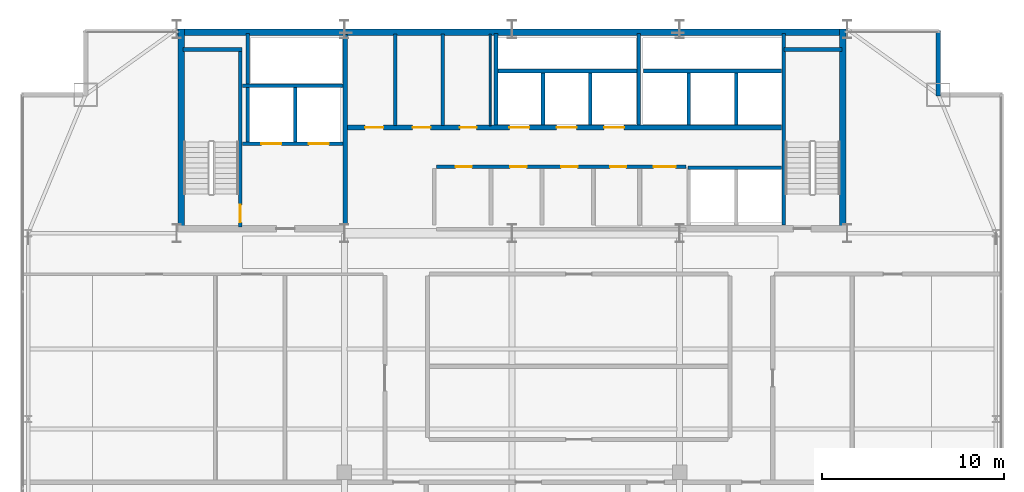
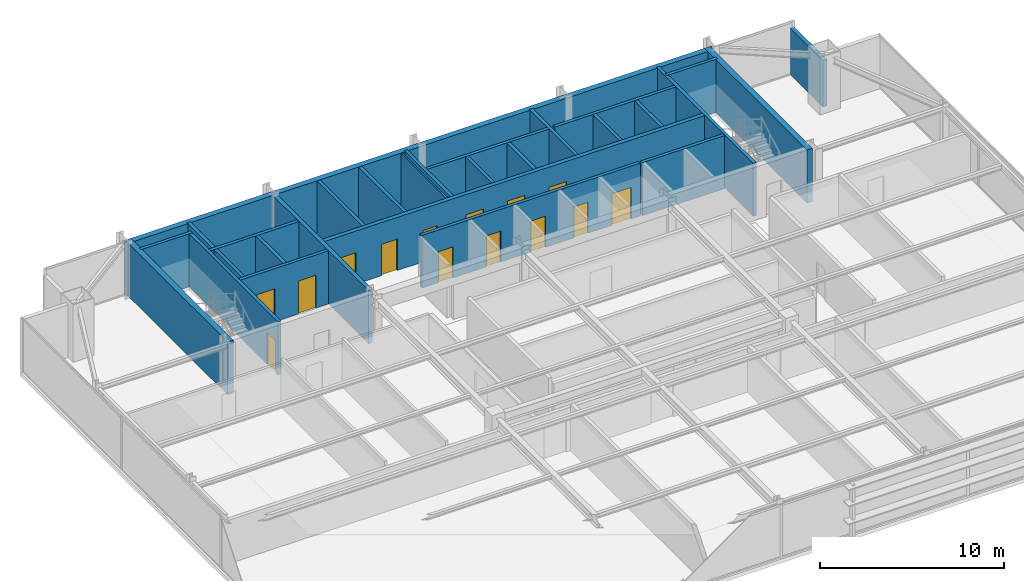
# One storey, part 26 of 29: 27 walls, 14 doors, 14 openings.
"""IFC4 building model written with IfcOpenShell, lengths in metres."""

from ifc_helpers import new_model, si_unit, direction, frame, frame_2d, origin, place, context, subcontext, project, spatial, rectangle, extrude, source, transform, mapped, material, layer, layer_set, type_object, type_shapes, element, fill, save


model = new_model("IFC4")

# Units and contexts
model_context = context("Model", 3, precision=1e-05, world=origin(), true_north=direction((0.0, 1.0)))
body_context = subcontext(model_context, "Body", "Model", "MODEL_VIEW")
ifc_project = project(units=[si_unit("LENGTHUNIT", "METRE"), si_unit("AREAUNIT", "SQUARE_METRE"), si_unit("VOLUMEUNIT", "CUBIC_METRE"), si_unit("PLANEANGLEUNIT", "RADIAN"), si_unit("MASSUNIT", "GRAM", prefix="KILO")], contexts=[model_context])

# Site, building, storey
site_placement = place(None, origin())
site = spatial("IfcSite", under=ifc_project, at=site_placement, CompositionType="ELEMENT")
building_placement = place(site_placement, origin())
building = spatial("IfcBuilding", under=site, at=building_placement, Name="Varnel Quay Broadcast Tower", CompositionType="ELEMENT")
storey_placement = place(building_placement, frame((0.0, 0.0, 187.60009765625)))
storey = spatial("IfcBuildingStorey", under=building, at=storey_placement, Name="L46", CompositionType="ELEMENT", Elevation=187.60009765625)

# Wall, opening, door
ifc_material_1 = material(Name="Concrete CSA A23.3 C50/60", Category="concrete")
ifc_layer_1 = layer(ifc_material_1, 0.199951171875, Name="Concrete CSA A23.3 C50/60")
ifc_layer_set_1 = layer_set([ifc_layer_1], Name="Concrete CSA A23.3 C50/60")
wall_type_1 = type_object("IfcWallType", Name="Wall_CoreShaftShear200", PredefinedType="SHEAR", material=ifc_layer_set_1)
wall_1_placement = place(storey_placement, frame((19.080078125, 35.949951171875, 0.0), z_axis=(0.0, 0.0, 1.0), x_axis=(0.0, 1.0, 0.0)))
wall_1 = element("IfcWall", 1, at=wall_1_placement, inside=storey, type_object=wall_type_1, Name="L46 Stair 1 East Structural Wall", PredefinedType="SHEAR", context=body_context, shape_type="SweptSolid", body=[
    extrude(rectangle(XDim=9.650146484375, YDim=0.199951171875, at=frame_2d((4.8251953125, 0.0))), origin(), (0.0, 0.0, 1.0), 3.52001953125),
])
opening_1_placement = place(wall_1_placement, frame((0.25, 0.0, 0.0)))
opening_1 = element("IfcOpeningElement", 2, at=opening_1_placement, cuts=wall_1, Name="Opening D-L46-S1", PredefinedType="OPENING", context=body_context, shape_type="SweptSolid", body=[
    extrude(rectangle(XDim=0.949951171875, YDim=2.10009765625, at=frame_2d((0.47509765625, 1.050048828125))), frame((0.0, 0.10986328125, 0.0), z_axis=(0.0, -1.0, 0.0), x_axis=(1.0, 0.0, 0.0)), (0.0, 0.0, 1.0), 0.219970703125),
])
ifc_material_2 = material(Name="Insulated Fire-Rated Hollow Steel Door", Category="steel")
door_type_1 = type_object("IfcDoorType", Name="Door_FireStair950", OperationType="NOTDEFINED", PredefinedType="DOOR", material=ifc_material_2)
shared_shape_1 = source(origin(), body_context, "Body", "SweptSolid", [
    extrude(rectangle(XDim=0.949951171875, YDim=2.10009765625, at=frame_2d((0.47509765625, 1.050048828125))), frame((0.0, 0.02490234375, 0.0), z_axis=(0.0, -1.0, 0.0), x_axis=(1.0, 0.0, 0.0)), (0.0, 0.0, 1.0), 0.050048828125),
])
type_shapes(door_type_1, [shared_shape_1])
door_1_placement = place(opening_1_placement, origin())
door_1 = element("IfcDoor", 3, at=door_1_placement, inside=storey, type_object=door_type_1, Name="L46 Stair 1 Fire Door", OperationType="SINGLE_SWING_LEFT", OverallHeight=2.10009765625, OverallWidth=0.949951171875, PredefinedType="DOOR", context=body_context, shape_type="MappedRepresentation", body=[
    mapped(shared_shape_1, transform((0.0, 0.0, 0.0), x_axis=(1.0, 0.0, 0.0), y_axis=(0.0, 1.0, 0.0), z_axis=(0.0, 0.0, 1.0), scale=1.0)),
])
fill(opening_1, door_1)

# Wall
wall_2_placement = place(storey_placement, frame((15.949951171875, 45.679931640625, 0.0), z_axis=(0.0, 0.0, 1.0), x_axis=(1.0, 0.0, 0.0)))
element("IfcWall", 4, at=wall_2_placement, inside=storey, type_object=wall_type_1, Name="L46 Stair 1 North Structural Wall", PredefinedType="SHEAR", context=body_context, shape_type="SweptSolid", body=[
    extrude(rectangle(XDim=3.22998046875, YDim=0.199951171875, at=frame_2d((1.614990234375, 0.0))), origin(), (0.0, 0.0, 1.0), 3.52001953125),
])

# Wall, openings, doors
wall_3_placement = place(storey_placement, frame((19.199951171875, 40.5, 0.0), z_axis=(0.0, 0.0, 1.0), x_axis=(1.0, 0.0, 0.0)))
wall_3 = element("IfcWall", 5, at=wall_3_placement, inside=storey, type_object=wall_type_1, Name="L46 Firefighter Lift Shaft Front Wall", PredefinedType="SHEAR", context=body_context, shape_type="SweptSolid", body=[
    extrude(rectangle(XDim=5.52001953125, YDim=0.199951171875, at=frame_2d((2.760009765625, 0.0))), origin(), (0.0, 0.0, 1.0), 3.52001953125),
])
opening_2_placement = place(wall_3_placement, frame((1.050048828125, 0.0, 0.0)))
opening_2 = element("IfcOpeningElement", 6, at=opening_2_placement, cuts=wall_3, Name="Opening LD-L46-FE1", PredefinedType="OPENING", context=body_context, shape_type="SweptSolid", body=[
    extrude(rectangle(XDim=1.10009765625, YDim=2.179931640625, at=frame_2d((0.550048828125, 1.08984375))), frame((0.0, 0.10986328125, 0.0), z_axis=(0.0, -1.0, 0.0), x_axis=(1.0, 0.0, 0.0)), (0.0, 0.0, 1.0), 0.219970703125),
])
opening_3_placement = place(wall_3_placement, frame((3.64990234375, 0.0, 0.0)))
opening_3 = element("IfcOpeningElement", 7, at=opening_3_placement, cuts=wall_3, Name="Opening LD-L46-FE2", PredefinedType="OPENING", context=body_context, shape_type="SweptSolid", body=[
    extrude(rectangle(XDim=1.10009765625, YDim=2.179931640625, at=frame_2d((0.550048828125, 1.08984375))), frame((0.0, 0.10986328125, 0.0), z_axis=(0.0, -1.0, 0.0), x_axis=(1.0, 0.0, 0.0)), (0.0, 0.0, 1.0), 0.219970703125),
])
ifc_material_3 = material(Name="Brushed Bronze-Stainless Lift Car & Sliding Doors", Category="steel")
door_type_2 = type_object("IfcDoorType", Name="Door_LiftLanding1100", OperationType="SLIDING_TO_LEFT", PredefinedType="DOOR", material=ifc_material_3)
shared_shape_2 = source(origin(), body_context, "Body", "SweptSolid", [
    extrude(rectangle(XDim=1.10009765625, YDim=2.179931640625, at=frame_2d((0.550048828125, 1.08984375))), frame((0.0, 0.02490234375, 0.0), z_axis=(0.0, -1.0, 0.0), x_axis=(1.0, 0.0, 0.0)), (0.0, 0.0, 1.0), 0.050048828125),
])
type_shapes(door_type_2, [shared_shape_2])
door_2_placement = place(opening_2_placement, frame((1.10009765625, 0.0, 0.0), z_axis=(0.0, 0.0, 1.0), x_axis=(-1.0, 0.0, 0.0)))
door_2 = element("IfcDoor", 8, at=door_2_placement, inside=storey, type_object=door_type_2, Name="L46 Firefighter Lift FE-01 Landing Door", OperationType="SLIDING_TO_LEFT", OverallHeight=2.179931640625, OverallWidth=1.10009765625, PredefinedType="DOOR", context=body_context, shape_type="MappedRepresentation", body=[
    mapped(shared_shape_2, transform((0.0, 0.0, 0.0), x_axis=(1.0, 0.0, 0.0), y_axis=(0.0, 1.0, 0.0), z_axis=(0.0, 0.0, 1.0), scale=1.0)),
])
fill(opening_2, door_2)
door_3_placement = place(opening_3_placement, frame((1.10009765625, 0.0, 0.0), z_axis=(0.0, 0.0, 1.0), x_axis=(-1.0, 0.0, 0.0)))
door_3 = element("IfcDoor", 9, at=door_3_placement, inside=storey, type_object=door_type_2, Name="L46 Firefighter Lift FE-02 Landing Door", OperationType="SLIDING_TO_RIGHT", OverallHeight=2.179931640625, OverallWidth=1.10009765625, PredefinedType="DOOR", context=body_context, shape_type="MappedRepresentation", body=[
    mapped(shared_shape_2, transform((0.0, 0.0, 0.0), x_axis=(1.0, 0.0, 0.0), y_axis=(0.0, 1.0, 0.0), z_axis=(0.0, 0.0, 1.0), scale=1.0)),
])
fill(opening_3, door_3)

# Walls
wall_4_placement = place(storey_placement, frame((19.199951171875, 43.699951171875, 0.0), z_axis=(0.0, 0.0, 1.0), x_axis=(1.0, 0.0, 0.0)))
element("IfcWall", 10, at=wall_4_placement, inside=storey, type_object=wall_type_1, Name="L46 Firefighter Lift Shaft Rear Wall", PredefinedType="SHEAR", context=body_context, shape_type="SweptSolid", body=[
    extrude(rectangle(XDim=5.52001953125, YDim=0.199951171875, at=frame_2d((2.760009765625, 0.0))), origin(), (0.0, 0.0, 1.0), 3.52001953125),
])
wall_5_placement = place(storey_placement, frame((22.10009765625, 40.60009765625, 0.0), z_axis=(0.0, 0.0, 1.0), x_axis=(0.0, 1.0, 0.0)))
element("IfcWall", 11, at=wall_5_placement, inside=storey, type_object=wall_type_1, Name="L46 Firefighter Lift Shaft Divider", PredefinedType="SHEAR", context=body_context, shape_type="SweptSolid", body=[
    extrude(rectangle(XDim=3.0, YDim=0.199951171875, at=frame_2d((1.5, 0.0))), origin(), (0.0, 0.0, 1.0), 3.52001953125),
])
wall_6_placement = place(storey_placement, frame((19.5, 40.60009765625, 0.0), z_axis=(0.0, 0.0, 1.0), x_axis=(0.0, 1.0, 0.0)))
element("IfcWall", 12, at=wall_6_placement, inside=storey, type_object=wall_type_1, Name="L46 Firefighter Lift Shaft West Wall", PredefinedType="SHEAR", context=body_context, shape_type="SweptSolid", body=[
    extrude(rectangle(XDim=5.949951171875, YDim=0.199951171875, at=frame_2d((2.97509765625, 0.0))), origin(), (0.0, 0.0, 1.0), 3.52001953125),
])
wall_7_placement = place(storey_placement, frame((48.919921875, 36.050048828125, 0.0), z_axis=(0.0, 0.0, 1.0), x_axis=(0.0, 1.0, 0.0)))
element("IfcWall", 13, at=wall_7_placement, inside=storey, type_object=wall_type_1, Name="L46 Stair 2 West Structural Wall", PredefinedType="SHEAR", context=body_context, shape_type="SweptSolid", body=[
    extrude(rectangle(XDim=10.5, YDim=0.199951171875, at=frame_2d((5.25, 0.0))), origin(), (0.0, 0.0, 1.0), 3.52001953125),
])
wall_8_placement = place(storey_placement, frame((48.919921875, 45.679931640625, 0.0), z_axis=(0.0, 0.0, 1.0), x_axis=(1.0, 0.0, 0.0)))
element("IfcWall", 14, at=wall_8_placement, inside=storey, type_object=wall_type_1, Name="L46 Stair 2 North Structural Wall", PredefinedType="SHEAR", context=body_context, shape_type="SweptSolid", body=[
    extrude(rectangle(XDim=3.18017578125, YDim=0.199951171875, at=frame_2d((1.590087890625, 0.0))), origin(), (0.0, 0.0, 1.0), 3.52001953125),
])
wall_9_placement = place(storey_placement, frame((33.219970703125, 44.5, 0.0), z_axis=(0.0, 0.0, 1.0), x_axis=(1.0, 0.0, 0.0)))
element("IfcWall", 15, at=wall_9_placement, inside=storey, type_object=wall_type_1, Name="L46 Mid-Rise Lift Shaft Rear Wall", PredefinedType="SHEAR", context=body_context, shape_type="SweptSolid", body=[
    extrude(rectangle(XDim=7.630126953125, YDim=0.199951171875, at=frame_2d((3.81494140625, 0.0))), origin(), (0.0, 0.0, 1.0), 3.52001953125),
])
wall_10_placement = place(storey_placement, frame((33.1201171875, 41.530029296875, 0.0), z_axis=(0.0, 0.0, 1.0), x_axis=(0.0, 1.0, 0.0)))
element("IfcWall", 16, at=wall_10_placement, inside=storey, type_object=wall_type_1, Name="L46 Mid-Rise Lift Shaft Divider 1", PredefinedType="SHEAR", context=body_context, shape_type="SweptSolid", body=[
    extrude(rectangle(XDim=5.02001953125, YDim=0.199951171875, at=frame_2d((2.510009765625, 0.0))), origin(), (0.0, 0.0, 1.0), 3.52001953125),
])
for number, where, z_axis, x_axis, name in (
    (17, (35.699951171875, 41.530029296875, 0.0), (0.0, 0.0, 1.0), (0.0, 1.0, 0.0), "L46 Mid-Rise Lift Shaft Divider 2"),
    (18, (38.300048828125, 41.530029296875, 0.0), (0.0, 0.0, 1.0), (0.0, 1.0, 0.0), "L46 Mid-Rise Lift Shaft Divider 3"),
):
    element("IfcWall", number, at=place(storey_placement, frame(where, z_axis=z_axis, x_axis=x_axis)), inside=storey, type_object=wall_type_1, Name=name, PredefinedType="SHEAR", context=body_context, shape_type="SweptSolid", body=[
        extrude(rectangle(XDim=2.869873046875, YDim=0.199951171875, at=frame_2d((1.43505859375, 0.0))), origin(), (0.0, 0.0, 1.0), 3.52001953125),
    ])
wall_11_placement = place(storey_placement, frame((40.949951171875, 41.530029296875, 0.0), z_axis=(0.0, 0.0, 1.0), x_axis=(0.0, 1.0, 0.0)))
element("IfcWall", 19, at=wall_11_placement, inside=storey, type_object=wall_type_1, Name="L46 Mid-Rise Lift Shaft Divider 4", PredefinedType="SHEAR", context=body_context, shape_type="SweptSolid", body=[
    extrude(rectangle(XDim=5.02001953125, YDim=0.199951171875, at=frame_2d((2.510009765625, 0.0))), origin(), (0.0, 0.0, 1.0), 3.52001953125),
])
wall_12_placement = place(storey_placement, frame((41.219970703125, 44.5, 0.0), z_axis=(0.0, 0.0, 1.0), x_axis=(1.0, 0.0, 0.0)))
element("IfcWall", 20, at=wall_12_placement, inside=storey, type_object=wall_type_1, Name="L46 High-Rise Lift Shaft Rear Wall", PredefinedType="SHEAR", context=body_context, shape_type="SweptSolid", body=[
    extrude(rectangle(XDim=7.580078125, YDim=0.199951171875, at=frame_2d((3.7900390625, 0.0))), origin(), (0.0, 0.0, 1.0), 3.52001953125),
])
for number, where, z_axis, x_axis, name in (
    (21, (43.699951171875, 41.530029296875, 0.0), (0.0, 0.0, 1.0), (0.0, 1.0, 0.0), "L46 High-Rise Lift Shaft Divider 2"),
    (22, (46.300048828125, 41.530029296875, 0.0), (0.0, 0.0, 1.0), (0.0, 1.0, 0.0), "L46 High-Rise Lift Shaft Divider 3"),
):
    element("IfcWall", number, at=place(storey_placement, frame(where, z_axis=z_axis, x_axis=x_axis)), inside=storey, type_object=wall_type_1, Name=name, PredefinedType="SHEAR", context=body_context, shape_type="SweptSolid", body=[
        extrude(rectangle(XDim=2.869873046875, YDim=0.199951171875, at=frame_2d((1.43505859375, 0.0))), origin(), (0.0, 0.0, 1.0), 3.52001953125),
    ])
wall_13_placement = place(storey_placement, frame((43.64990234375, 39.199951171875, 0.0), z_axis=(0.0, 0.0, 1.0), x_axis=(1.0, 0.0, 0.0)))
element("IfcWall", 23, at=wall_13_placement, inside=storey, type_object=wall_type_1, Name="L46 Express Lift Shaft North Front Wall", PredefinedType="SHEAR", context=body_context, shape_type="SweptSolid", body=[
    extrude(rectangle(XDim=5.150146484375, YDim=0.199951171875, at=frame_2d((2.5751953125, 0.0))), origin(), (0.0, 0.0, 1.0), 3.52001953125),
])
ifc_layer_2 = layer(ifc_material_1, 0.25, Name="Concrete CSA A23.3 C50/60")
ifc_layer_set_2 = layer_set([ifc_layer_2], Name="Concrete CSA A23.3 C50/60")
wall_type_2 = type_object("IfcWallType", Name="Wall_CoreShaftShear250", PredefinedType="SHEAR", material=ifc_layer_set_2)
wall_14_placement = place(storey_placement, frame((24.85009765625, 36.050048828125, 0.0), z_axis=(0.0, 0.0, 1.0), x_axis=(0.0, 1.0, 0.0)))
element("IfcWall", 24, at=wall_14_placement, inside=storey, type_object=wall_type_2, Name="L46 Firefighting Lobby East Structural Wall", PredefinedType="SHEAR", context=body_context, shape_type="SweptSolid", body=[
    extrude(rectangle(XDim=10.449951171875, YDim=0.25, at=frame_2d((5.22509765625, 0.0))), origin(), (0.0, 0.0, 1.0), 3.52001953125),
])

# Wall, openings, doors
wall_15_placement = place(storey_placement, frame((24.97998046875, 41.39990234375, 0.0), z_axis=(0.0, 0.0, 1.0), x_axis=(1.0, 0.0, 0.0)))
wall_15 = element("IfcWall", 25, at=wall_15_placement, inside=storey, type_object=wall_type_2, Name="L46 North Lift Bank & Reclaimed Suite Wall", PredefinedType="SHEAR", context=body_context, shape_type="SweptSolid", body=[
    extrude(rectangle(XDim=23.820068359375, YDim=0.25, at=frame_2d((11.91015625, 0.0))), origin(), (0.0, 0.0, 1.0), 3.52001953125),
])
opening_4_placement = place(wall_15_placement, frame((8.8701171875, 0.0, 0.0)))
opening_4 = element("IfcOpeningElement", 26, at=opening_4_placement, cuts=wall_15, Name="Opening LD-L46-PM-01", PredefinedType="OPENING", context=body_context, shape_type="SweptSolid", body=[
    extrude(rectangle(XDim=1.10009765625, YDim=2.179931640625, at=frame_2d((0.550048828125, 1.08984375))), frame((0.0, 0.135009765625, 0.0), z_axis=(0.0, -1.0, 0.0), x_axis=(1.0, 0.0, 0.0)), (0.0, 0.0, 1.0), 0.27001953125),
])
opening_5_placement = place(wall_15_placement, frame((11.469970703125, 0.0, 0.0)))
opening_5 = element("IfcOpeningElement", 27, at=opening_5_placement, cuts=wall_15, Name="Opening LD-L46-PM-02", PredefinedType="OPENING", context=body_context, shape_type="SweptSolid", body=[
    extrude(rectangle(XDim=1.10009765625, YDim=2.179931640625, at=frame_2d((0.550048828125, 1.08984375))), frame((0.0, 0.135009765625, 0.0), z_axis=(0.0, -1.0, 0.0), x_axis=(1.0, 0.0, 0.0)), (0.0, 0.0, 1.0), 0.27001953125),
])
opening_6_placement = place(wall_15_placement, frame((14.070068359375, 0.0, 0.0)))
opening_6 = element("IfcOpeningElement", 28, at=opening_6_placement, cuts=wall_15, Name="Opening LD-L46-PM-03", PredefinedType="OPENING", context=body_context, shape_type="SweptSolid", body=[
    extrude(rectangle(XDim=1.10009765625, YDim=2.179931640625, at=frame_2d((0.550048828125, 1.08984375))), frame((0.0, 0.135009765625, 0.0), z_axis=(0.0, -1.0, 0.0), x_axis=(1.0, 0.0, 0.0)), (0.0, 0.0, 1.0), 0.27001953125),
])
opening_7_placement = place(wall_15_placement, frame((0.9599609375, 0.0, 0.0)))
opening_7 = element("IfcOpeningElement", 29, at=opening_7_placement, cuts=wall_15, Name="Opening D-L46-RECA1", PredefinedType="OPENING", context=body_context, shape_type="SweptSolid", body=[
    extrude(rectangle(XDim=1.0, YDim=2.080078125, at=frame_2d((0.5, 1.0400390625))), frame((0.0, 0.135009765625, 0.0), z_axis=(0.0, -1.0, 0.0), x_axis=(1.0, 0.0, 0.0)), (0.0, 0.0, 1.0), 0.27001953125),
])
opening_8_placement = place(wall_15_placement, frame((3.56005859375, 0.0, 0.0)))
opening_8 = element("IfcOpeningElement", 30, at=opening_8_placement, cuts=wall_15, Name="Opening D-L46-RECA2", PredefinedType="OPENING", context=body_context, shape_type="SweptSolid", body=[
    extrude(rectangle(XDim=1.0, YDim=2.080078125, at=frame_2d((0.5, 1.0400390625))), frame((0.0, 0.135009765625, 0.0), z_axis=(0.0, -1.0, 0.0), x_axis=(1.0, 0.0, 0.0)), (0.0, 0.0, 1.0), 0.27001953125),
])
opening_9_placement = place(wall_15_placement, frame((6.159912109375, 0.0, 0.0)))
opening_9 = element("IfcOpeningElement", 31, at=opening_9_placement, cuts=wall_15, Name="Opening D-L46-RECA3", PredefinedType="OPENING", context=body_context, shape_type="SweptSolid", body=[
    extrude(rectangle(XDim=0.919921875, YDim=2.080078125, at=frame_2d((0.4599609375, 1.0400390625))), frame((0.0, 0.135009765625, 0.0), z_axis=(0.0, -1.0, 0.0), x_axis=(1.0, 0.0, 0.0)), (0.0, 0.0, 1.0), 0.27001953125),
])
door_4_placement = place(opening_4_placement, frame((1.10009765625, 0.0, 0.0), z_axis=(0.0, 0.0, 1.0), x_axis=(-1.0, 0.0, 0.0)))
door_4 = element("IfcDoor", 32, at=door_4_placement, inside=storey, type_object=door_type_2, Name="L46 Lift PM-01 Landing Door", OperationType="SLIDING_TO_LEFT", OverallHeight=2.179931640625, OverallWidth=1.10009765625, PredefinedType="DOOR", context=body_context, shape_type="MappedRepresentation", body=[
    mapped(shared_shape_2, transform((0.0, 0.0, 0.0), x_axis=(1.0, 0.0, 0.0), y_axis=(0.0, 1.0, 0.0), z_axis=(0.0, 0.0, 1.0), scale=1.0)),
])
fill(opening_4, door_4)
door_5_placement = place(opening_5_placement, frame((1.10009765625, 0.0, 0.0), z_axis=(0.0, 0.0, 1.0), x_axis=(-1.0, 0.0, 0.0)))
door_5 = element("IfcDoor", 33, at=door_5_placement, inside=storey, type_object=door_type_2, Name="L46 Lift PM-02 Landing Door", OperationType="SLIDING_TO_LEFT", OverallHeight=2.179931640625, OverallWidth=1.10009765625, PredefinedType="DOOR", context=body_context, shape_type="MappedRepresentation", body=[
    mapped(shared_shape_2, transform((0.0, 0.0, 0.0), x_axis=(1.0, 0.0, 0.0), y_axis=(0.0, 1.0, 0.0), z_axis=(0.0, 0.0, 1.0), scale=1.0)),
])
fill(opening_5, door_5)
door_6_placement = place(opening_6_placement, frame((1.10009765625, 0.0, 0.0), z_axis=(0.0, 0.0, 1.0), x_axis=(-1.0, 0.0, 0.0)))
door_6 = element("IfcDoor", 34, at=door_6_placement, inside=storey, type_object=door_type_2, Name="L46 Lift PM-03 Landing Door", OperationType="SLIDING_TO_LEFT", OverallHeight=2.179931640625, OverallWidth=1.10009765625, PredefinedType="DOOR", context=body_context, shape_type="MappedRepresentation", body=[
    mapped(shared_shape_2, transform((0.0, 0.0, 0.0), x_axis=(1.0, 0.0, 0.0), y_axis=(0.0, 1.0, 0.0), z_axis=(0.0, 0.0, 1.0), scale=1.0)),
])
fill(opening_6, door_6)
door_type_3 = type_object("IfcDoorType", Name="Door_FireLobby1000", OperationType="NOTDEFINED", PredefinedType="DOOR", material=ifc_material_2)
shared_shape_3 = source(origin(), body_context, "Body", "SweptSolid", [
    extrude(rectangle(XDim=1.0, YDim=2.080078125, at=frame_2d((0.5, 1.0400390625))), frame((0.0, 0.02490234375, 0.0), z_axis=(0.0, -1.0, 0.0), x_axis=(1.0, 0.0, 0.0)), (0.0, 0.0, 1.0), 0.050048828125),
])
type_shapes(door_type_3, [shared_shape_3])
door_7_placement = place(opening_7_placement, origin())
door_7 = element("IfcDoor", 35, at=door_7_placement, inside=storey, type_object=door_type_3, Name="L46 Ingest Rack Bay A Door", OperationType="SINGLE_SWING_RIGHT", OverallHeight=2.080078125, OverallWidth=1.0, PredefinedType="DOOR", context=body_context, shape_type="MappedRepresentation", body=[
    mapped(shared_shape_3, transform((0.0, 0.0, 0.0), x_axis=(1.0, 0.0, 0.0), y_axis=(0.0, 1.0, 0.0), z_axis=(0.0, 0.0, 1.0), scale=1.0)),
])
fill(opening_7, door_7)
door_8_placement = place(opening_8_placement, origin())
door_8 = element("IfcDoor", 36, at=door_8_placement, inside=storey, type_object=door_type_3, Name="L46 Fiber Patch Bay Door", OperationType="SINGLE_SWING_LEFT", OverallHeight=2.080078125, OverallWidth=1.0, PredefinedType="DOOR", context=body_context, shape_type="MappedRepresentation", body=[
    mapped(shared_shape_3, transform((0.0, 0.0, 0.0), x_axis=(1.0, 0.0, 0.0), y_axis=(0.0, 1.0, 0.0), z_axis=(0.0, 0.0, 1.0), scale=1.0)),
])
fill(opening_8, door_8)
ifc_material_4 = material(Name="Solid-Core Fire-Rated Acoustic Oak Veneer Door", Category="wood")
door_type_4 = type_object("IfcDoorType", Name="Door_Office920", OperationType="NOTDEFINED", PredefinedType="DOOR", material=ifc_material_4)
shared_shape_4 = source(origin(), body_context, "Body", "SweptSolid", [
    extrude(rectangle(XDim=0.919921875, YDim=2.080078125, at=frame_2d((0.4599609375, 1.0400390625))), frame((0.0, 0.02490234375, 0.0), z_axis=(0.0, -1.0, 0.0), x_axis=(1.0, 0.0, 0.0)), (0.0, 0.0, 1.0), 0.050048828125),
])
type_shapes(door_type_4, [shared_shape_4])
door_9_placement = place(opening_9_placement, origin())
door_9 = element("IfcDoor", 37, at=door_9_placement, inside=storey, type_object=door_type_4, Name="L46 Telemetry Store Door", OperationType="SINGLE_SWING_RIGHT", OverallHeight=2.080078125, OverallWidth=0.919921875, PredefinedType="DOOR", context=body_context, shape_type="MappedRepresentation", body=[
    mapped(shared_shape_4, transform((0.0, 0.0, 0.0), x_axis=(1.0, 0.0, 0.0), y_axis=(0.0, 1.0, 0.0), z_axis=(0.0, 0.0, 1.0), scale=1.0)),
])
fill(opening_9, door_9)

# Walls
ifc_layer_3 = layer(ifc_material_1, 0.35009765625, Name="Concrete CSA A23.3 C50/60")
ifc_layer_set_3 = layer_set([ifc_layer_3], Name="Concrete CSA A23.3 C50/60")
wall_type_3 = type_object("IfcWallType", Name="Wall_CoreShearExt350", PredefinedType="SHEAR", material=ifc_layer_set_3)
wall_16_placement = place(storey_placement, frame((15.60009765625, 46.625, 0.0), z_axis=(0.0, 0.0, 1.0), x_axis=(1.0, 0.0, 0.0)))
element("IfcWall", 38, at=wall_16_placement, inside=storey, type_object=wall_type_3, Name="L46 North Core Shear Wall", PredefinedType="SHEAR", context=body_context, shape_type="SweptSolid", body=[
    extrude(rectangle(XDim=36.7998046875, YDim=0.35009765625, at=frame_2d((18.39990234375, 0.0))), origin(), (0.0, 0.0, 1.0), 3.52001953125),
])
ifc_layer_4 = layer(ifc_material_1, 0.35009765625, Name="Concrete CSA A23.3 C50/60")
ifc_layer_set_4 = layer_set([ifc_layer_4], Name="Concrete CSA A23.3 C50/60")
wall_type_4 = type_object("IfcWallType", Name="Wall_CoreShearInt350", PredefinedType="SHEAR", material=ifc_layer_set_4)
for number, where, z_axis, x_axis, name in (
    (39, (15.844970703125, 35.669921875, 0.0), (0.0, 0.0, 1.0), (0.0, 1.0, 0.0), "L46 West Core Shear Wall"),
    (40, (52.155029296875, 35.669921875, 0.0), (0.0, 0.0, 1.0), (0.0, 1.0, 0.0), "L46 East Core Shear Wall"),
):
    element("IfcWall", number, at=place(storey_placement, frame(where, z_axis=z_axis, x_axis=x_axis)), inside=storey, type_object=wall_type_4, Name=name, PredefinedType="SHEAR", context=body_context, shape_type="SweptSolid", body=[
        extrude(rectangle(XDim=11.130126953125, YDim=0.35009765625, at=frame_2d((5.56494140625, 0.0))), origin(), (0.0, 0.0, 1.0), 3.52001953125),
    ])
ifc_material_5 = material(Name="Precast Architectural Concrete C40/50", Category="concrete")
ifc_layer_5 = layer(ifc_material_5, 0.25, Name="Precast Architectural Concrete C40/50")
ifc_layer_set_5 = layer_set([ifc_layer_5], Name="Precast Architectural Concrete C40/50")
wall_type_5 = type_object("IfcWallType", Name="Wall_ExtTerrace250", PredefinedType="SOLIDWALL", material=ifc_layer_set_5)
wall_17_placement = place(storey_placement, frame((57.39990234375, 43.1201171875, 0.0), z_axis=(0.0, 0.0, 1.0), x_axis=(0.0, 1.0, 0.0)))
element("IfcWall", 41, at=wall_17_placement, inside=storey, type_object=wall_type_5, Name="L46 Mega-Column Notch Cladding Wall NNE2", PredefinedType="SOLIDWALL", context=body_context, shape_type="SweptSolid", body=[
    extrude(rectangle(XDim=3.599853515625, YDim=0.25, at=frame_2d((1.7998046875, 0.0))), origin(), (0.0, 0.0, 1.0), 3.077880859375),
])

# Wall, openings, doors
ifc_material_6 = material(Name="Concrete Blockwork Fire Enclosure C40/50", Category="masonry")
ifc_layer_6 = layer(ifc_material_6, 0.199951171875, Name="Concrete Blockwork Fire Enclosure C40/50")
ifc_layer_set_6 = layer_set([ifc_layer_6], Name="Concrete Blockwork Fire Enclosure C40/50")
wall_type_6 = type_object("IfcWallType", Name="Wall_FireShaft200", PredefinedType="SOLIDWALL", material=ifc_layer_set_6)
wall_18_placement = place(storey_placement, frame((29.85009765625, 39.25, 0.0), z_axis=(0.0, 0.0, 1.0), x_axis=(1.0, 0.0, 0.0)))
wall_18 = element("IfcWall", 42, at=wall_18_placement, inside=storey, type_object=wall_type_6, Name="L46 Accessible Washroom Partition 3", PredefinedType="SOLIDWALL", context=body_context, shape_type="SweptSolid", body=[
    extrude(rectangle(XDim=13.699951171875, YDim=0.199951171875, at=frame_2d((6.85009765625, 0.0))), origin(), (0.0, 0.0, 1.0), 3.5),
])
opening_10_placement = place(wall_18_placement, frame((1.050048828125, 0.0, 0.0)))
opening_10 = element("IfcOpeningElement", 43, at=opening_10_placement, cuts=wall_18, Name="Opening D-L46-01", PredefinedType="OPENING", context=body_context, shape_type="SweptSolid", body=[
    extrude(rectangle(XDim=0.89990234375, YDim=2.06005859375, at=frame_2d((0.449951171875, 1.030029296875))), frame((0.0, 0.10986328125, 0.0), z_axis=(0.0, -1.0, 0.0), x_axis=(1.0, 0.0, 0.0)), (0.0, 0.0, 1.0), 0.219970703125),
])
opening_11_placement = place(wall_18_placement, frame((4.050048828125, 0.0, 0.0)))
opening_11 = element("IfcOpeningElement", 44, at=opening_11_placement, cuts=wall_18, Name="Opening D-L46-02", PredefinedType="OPENING", context=body_context, shape_type="SweptSolid", body=[
    extrude(rectangle(XDim=0.89990234375, YDim=2.06005859375, at=frame_2d((0.449951171875, 1.030029296875))), frame((0.0, 0.10986328125, 0.0), z_axis=(0.0, -1.0, 0.0), x_axis=(1.0, 0.0, 0.0)), (0.0, 0.0, 1.0), 0.219970703125),
])
opening_12_placement = place(wall_18_placement, frame((6.85009765625, 0.0, 0.0)))
opening_12 = element("IfcOpeningElement", 45, at=opening_12_placement, cuts=wall_18, Name="Opening D-L46-03", PredefinedType="OPENING", context=body_context, shape_type="SweptSolid", body=[
    extrude(rectangle(XDim=0.89990234375, YDim=2.06005859375, at=frame_2d((0.449951171875, 1.030029296875))), frame((0.0, 0.10986328125, 0.0), z_axis=(0.0, -1.0, 0.0), x_axis=(1.0, 0.0, 0.0)), (0.0, 0.0, 1.0), 0.219970703125),
])
opening_13_placement = place(wall_18_placement, frame((9.534912109375, 0.0, 0.0)))
opening_13 = element("IfcOpeningElement", 46, at=opening_13_placement, cuts=wall_18, Name="Opening D-L46-04", PredefinedType="OPENING", context=body_context, shape_type="SweptSolid", body=[
    extrude(rectangle(XDim=0.8798828125, YDim=2.06005859375, at=frame_2d((0.43994140625, 1.030029296875))), frame((0.0, 0.10986328125, 0.0), z_axis=(0.0, -1.0, 0.0), x_axis=(1.0, 0.0, 0.0)), (0.0, 0.0, 1.0), 0.219970703125),
])
opening_14_placement = place(wall_18_placement, frame((11.925048828125, 0.0, 0.0)))
opening_14 = element("IfcOpeningElement", 47, at=opening_14_placement, cuts=wall_18, Name="Opening D-L46-05", PredefinedType="OPENING", context=body_context, shape_type="SweptSolid", body=[
    extrude(rectangle(XDim=1.199951171875, YDim=2.10009765625, at=frame_2d((0.60009765625, 1.050048828125))), frame((0.0, 0.10986328125, 0.0), z_axis=(0.0, -1.0, 0.0), x_axis=(1.0, 0.0, 0.0)), (0.0, 0.0, 1.0), 0.219970703125),
])
door_type_5 = type_object("IfcDoorType", Name="Door_Washroom900", OperationType="NOTDEFINED", PredefinedType="DOOR", material=ifc_material_4)
shared_shape_5 = source(origin(), body_context, "Body", "SweptSolid", [
    extrude(rectangle(XDim=0.89990234375, YDim=2.06005859375, at=frame_2d((0.449951171875, 1.030029296875))), frame((0.0, 0.02490234375, 0.0), z_axis=(0.0, -1.0, 0.0), x_axis=(1.0, 0.0, 0.0)), (0.0, 0.0, 1.0), 0.050048828125),
])
type_shapes(door_type_5, [shared_shape_5])
door_10_placement = place(opening_10_placement, frame((0.89990234375, 0.0, 0.0), z_axis=(0.0, 0.0, 1.0), x_axis=(-1.0, 0.0, 0.0)))
door_10 = element("IfcDoor", 48, at=door_10_placement, inside=storey, type_object=door_type_5, Name="L46 Accessible Washroom Door D-L46-01", OperationType="SINGLE_SWING_LEFT", OverallHeight=2.06005859375, OverallWidth=0.89990234375, PredefinedType="DOOR", context=body_context, shape_type="MappedRepresentation", body=[
    mapped(shared_shape_5, transform((0.0, 0.0, 0.0), x_axis=(1.0, 0.0, 0.0), y_axis=(0.0, 1.0, 0.0), z_axis=(0.0, 0.0, 1.0), scale=1.0)),
])
fill(opening_10, door_10)
door_11_placement = place(opening_11_placement, frame((0.89990234375, 0.0, 0.0), z_axis=(0.0, 0.0, 1.0), x_axis=(-1.0, 0.0, 0.0)))
door_11 = element("IfcDoor", 49, at=door_11_placement, inside=storey, type_object=door_type_5, Name="L46 West Gender-Neutral Washroom Door D-L46-02", OperationType="SINGLE_SWING_RIGHT", OverallHeight=2.06005859375, OverallWidth=0.89990234375, PredefinedType="DOOR", context=body_context, shape_type="MappedRepresentation", body=[
    mapped(shared_shape_5, transform((0.0, 0.0, 0.0), x_axis=(1.0, 0.0, 0.0), y_axis=(0.0, 1.0, 0.0), z_axis=(0.0, 0.0, 1.0), scale=1.0)),
])
fill(opening_11, door_11)
door_12_placement = place(opening_12_placement, frame((0.89990234375, 0.0, 0.0), z_axis=(0.0, 0.0, 1.0), x_axis=(-1.0, 0.0, 0.0)))
door_12 = element("IfcDoor", 50, at=door_12_placement, inside=storey, type_object=door_type_5, Name="L46 East Staff Washroom Door D-L46-03", OperationType="SINGLE_SWING_LEFT", OverallHeight=2.06005859375, OverallWidth=0.89990234375, PredefinedType="DOOR", context=body_context, shape_type="MappedRepresentation", body=[
    mapped(shared_shape_5, transform((0.0, 0.0, 0.0), x_axis=(1.0, 0.0, 0.0), y_axis=(0.0, 1.0, 0.0), z_axis=(0.0, 0.0, 1.0), scale=1.0)),
])
fill(opening_12, door_12)
door_type_6 = type_object("IfcDoorType", Name="Door_Plant1200", OperationType="NOTDEFINED", PredefinedType="DOOR", material=ifc_material_2)
shared_shape_6 = source(origin(), body_context, "Body", "SweptSolid", [
    extrude(rectangle(XDim=1.199951171875, YDim=2.10009765625, at=frame_2d((0.60009765625, 1.050048828125))), frame((0.0, 0.02490234375, 0.0), z_axis=(0.0, -1.0, 0.0), x_axis=(1.0, 0.0, 0.0)), (0.0, 0.0, 1.0), 0.050048828125),
])
type_shapes(door_type_6, [shared_shape_6])
door_13_placement = place(opening_14_placement, origin())
door_13 = element("IfcDoor", 51, at=door_13_placement, inside=storey, type_object=door_type_6, Name="L46 Telecom IDF Closet Door D-L46-05", OperationType="SINGLE_SWING_LEFT", OverallHeight=2.10009765625, OverallWidth=1.199951171875, PredefinedType="DOOR", context=body_context, shape_type="MappedRepresentation", body=[
    mapped(shared_shape_6, transform((0.0, 0.0, 0.0), x_axis=(1.0, 0.0, 0.0), y_axis=(0.0, 1.0, 0.0), z_axis=(0.0, 0.0, 1.0), scale=1.0)),
])
fill(opening_14, door_13)
door_type_7 = type_object("IfcDoorType", Name="Door_Booth880", OperationType="NOTDEFINED", PredefinedType="DOOR", material=ifc_material_4)
shared_shape_7 = source(origin(), body_context, "Body", "SweptSolid", [
    extrude(rectangle(XDim=0.8798828125, YDim=2.06005859375, at=frame_2d((0.43994140625, 1.030029296875))), frame((0.0, 0.02490234375, 0.0), z_axis=(0.0, -1.0, 0.0), x_axis=(1.0, 0.0, 0.0)), (0.0, 0.0, 1.0), 0.050048828125),
])
type_shapes(door_type_7, [shared_shape_7])
door_14_placement = place(opening_13_placement, frame((0.8798828125, 0.0, 0.0), z_axis=(0.0, 0.0, 1.0), x_axis=(-1.0, 0.0, 0.0)))
door_14 = element("IfcDoor", 52, at=door_14_placement, inside=storey, type_object=door_type_7, Name="L46 Cleaners' & Linen Store Door D-L46-04", OperationType="SINGLE_SWING_RIGHT", OverallHeight=2.06005859375, OverallWidth=0.8798828125, PredefinedType="DOOR", context=body_context, shape_type="MappedRepresentation", body=[
    mapped(shared_shape_7, transform((0.0, 0.0, 0.0), x_axis=(1.0, 0.0, 0.0), y_axis=(0.0, 1.0, 0.0), z_axis=(0.0, 0.0, 1.0), scale=1.0)),
])
fill(opening_13, door_14)

# Walls
for number, where, z_axis, x_axis, name in (
    (53, (27.60009765625, 41.5, 0.0), (0.0, 0.0, 1.0), (0.0, 1.0, 0.0), "L46 Ingest Rack Bay A Partition 24"),
    (54, (30.199951171875, 41.5, 0.0), (0.0, 0.0, 1.0), (0.0, 1.0, 0.0), "L46 Fiber Patch Bay Partition 25"),
):
    element("IfcWall", number, at=place(storey_placement, frame(where, z_axis=z_axis, x_axis=x_axis)), inside=storey, type_object=wall_type_6, Name=name, PredefinedType="SOLIDWALL", context=body_context, shape_type="SweptSolid", body=[
        extrude(rectangle(XDim=5.02001953125, YDim=0.199951171875, at=frame_2d((2.510009765625, 0.0))), origin(), (0.0, 0.0, 1.0), 3.5),
    ])
ifc_material_7 = material(Name="Steel-Stud Fire-Rated Acoustic Gypsum Partition Assembly", Category="steel")
ifc_layer_7 = layer(ifc_material_7, 0.10498046875, Name="Steel-Stud Fire-Rated Acoustic Gypsum Partition Assembly")
ifc_layer_set_7 = layer_set([ifc_layer_7], Name="Steel-Stud Fire-Rated Acoustic Gypsum Partition Assembly")
wall_type_7 = type_object("IfcWallType", Name="Wall_Partition105", PredefinedType="PARTITIONING", material=ifc_layer_set_7)
wall_19_placement = place(storey_placement, frame((32.800048828125, 41.5, 0.0), z_axis=(0.0, 0.0, 1.0), x_axis=(0.0, 1.0, 0.0)))
element("IfcWall", 55, at=wall_19_placement, inside=storey, type_object=wall_type_7, Name="L46 Telemetry Store Partition 26", PredefinedType="PARTITIONING", context=body_context, shape_type="SweptSolid", body=[
    extrude(rectangle(XDim=5.02001953125, YDim=0.10498046875, at=frame_2d((2.510009765625, 0.0))), origin(), (0.0, 0.0, 1.0), 3.5),
])

save(model, "model.ifc")
